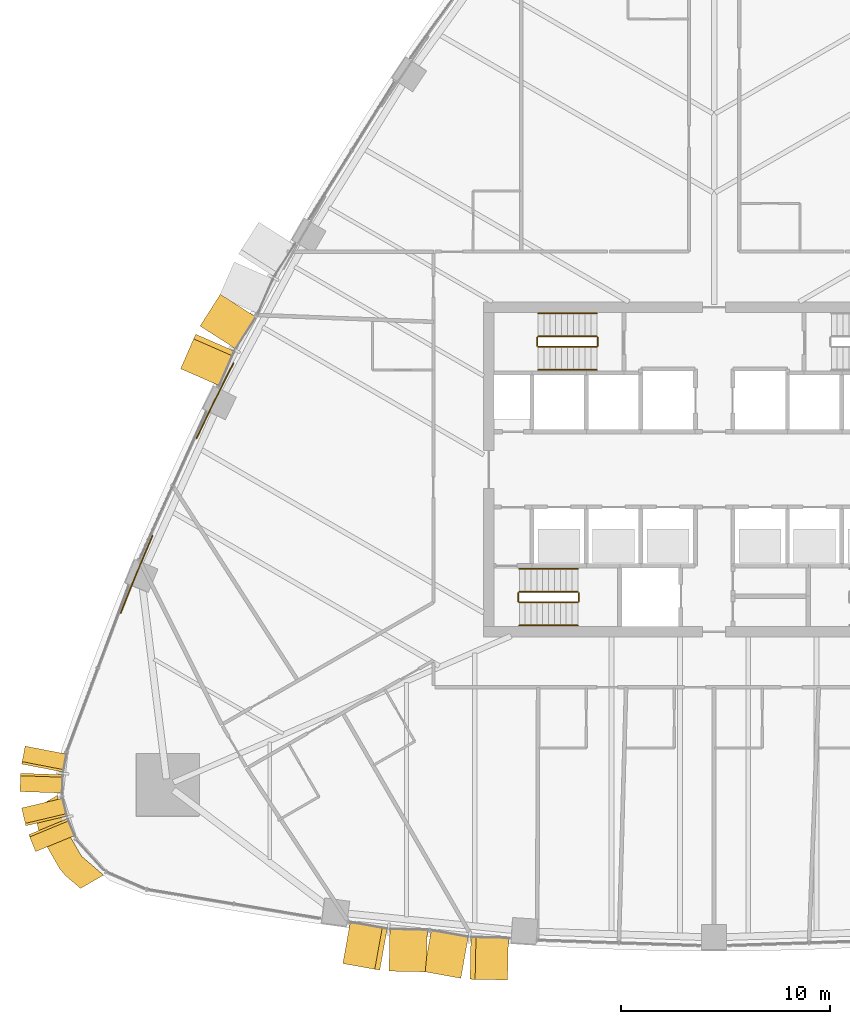
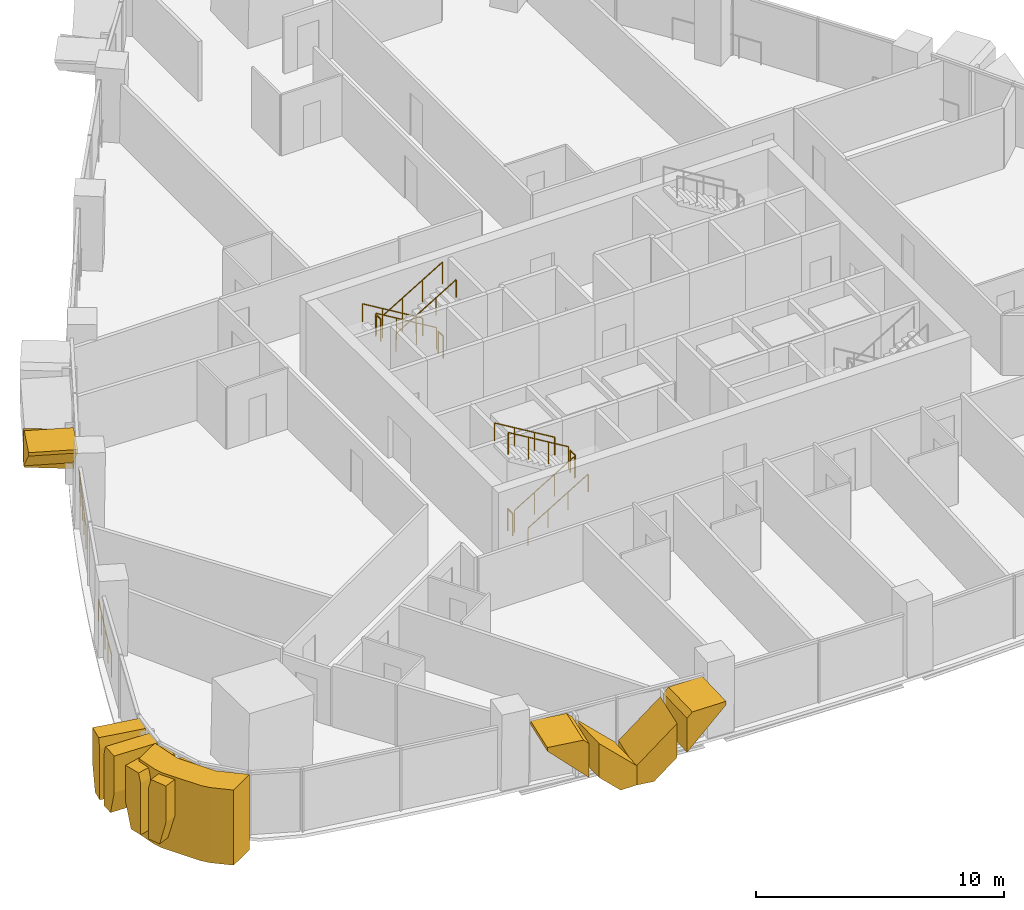
# One storey, part 15 of 18: 14 railings, 11 coverings.
"""IFC4 building model written with IfcOpenShell, lengths in metres."""

from ifc_helpers import new_model, si_unit, direction, frame, origin, origin_2d, place, context, subcontext, project, spatial, polyline, circle, outline, extrude, material, layer, layer_set, type_object, element, save


model = new_model("IFC4")

# Units and contexts
model_context = context("Model", 3, precision=1e-05, world=origin(), true_north=direction((0.0, 1.0)))
body_context = subcontext(model_context, "Body", "Model", "MODEL_VIEW")
ifc_project = project(units=[si_unit("LENGTHUNIT", "METRE"), si_unit("AREAUNIT", "SQUARE_METRE"), si_unit("VOLUMEUNIT", "CUBIC_METRE"), si_unit("PLANEANGLEUNIT", "RADIAN"), si_unit("MASSUNIT", "GRAM", prefix="KILO")], contexts=[model_context])

# Site, building, storey
site_placement = place(None, origin())
site = spatial("IfcSite", under=ifc_project, at=site_placement, CompositionType="ELEMENT")
building_placement = place(site_placement, origin())
building = spatial("IfcBuilding", under=site, at=building_placement, Name="Sierra Prisma Convention Tower", CompositionType="ELEMENT")
storey_placement = place(building_placement, frame((0.0, 0.0, 85.0)))
storey = spatial("IfcBuildingStorey", under=building, at=storey_placement, Name="L17", CompositionType="ELEMENT", Elevation=85.0)

# Coverings
ifc_material_1 = material(Name="Aluminium composite bronze anodised", Category="aluminium")
ifc_layer_1 = layer(ifc_material_1, 1.199951171875)
ifc_layer_set_1 = layer_set([ifc_layer_1], Name="Bronze corner pier")
covering_type_1 = type_object("IfcCoveringType", Name="Bronze corner pier", PredefinedType="CLADDING", material=ifc_layer_set_1)
covering_1_placement = place(storey_placement, frame((0.0, 0.0, -0.60009765625)))
element("IfcCovering", 1, at=covering_1_placement, inside=storey, type_object=covering_type_1, Name="Corner pier SW L17.1", PredefinedType="CLADDING", context=body_context, shape_type="SweptSolid", body=[
    extrude(outline(polyline([(-31.23779296875, -19.071044921875), (-32.134765625, -17.51708984375), (-32.275146484375, -17.13720703125), (-32.45068359375, -16.1953125), (-31.348876953125, -15.558837890625), (-31.095458984375, -16.9169921875), (-30.198486328125, -18.470947265625), (-29.148681640625, -19.369384765625), (-30.250732421875, -20.005615234375), (-30.978759765625, -19.382568359375), (-31.23779296875, -19.071044921875)])), origin(), (0.0, 0.0, 1.0), 3.7001953125),
])
ifc_material_2 = material(Name="Aluminium 6063-T6 bronze anodised", Category="aluminium")
ifc_layer_2 = layer(ifc_material_2, 2.0)
ifc_layer_set_2 = layer_set([ifc_layer_2], Name="Bronze crystal chevron frame")
covering_type_2 = type_object("IfcCoveringType", Name="Bronze crystal chevron frame", PredefinedType="CLADDING", material=ifc_layer_set_2)
covering_2_placement = place(storey_placement, frame((-17.724853515625, -23.591552734375, 2.97998046875), z_axis=(-0.17707737971, -0.984196931921, -2.8132919e-05), x_axis=(4.981704e-06, 2.7688333e-05, -0.999999999604)))
element("IfcCovering", 2, at=covering_2_placement, inside=storey, type_object=covering_type_2, Name="CW-2 chevron frame S2.1.1", PredefinedType="CLADDING", context=body_context, shape_type="SweptSolid", body=[
    extrude(outline(polyline([(0.0, 0.0), (0.1718749999319838, 0.0), (1.9013671869321036, 1.7909974042038943), (0.23315429696726628, 1.7909974042038943), (-1.4563580790004187e-09, 1.5493967319547859), (0.0, 0.0)])), origin(), (0.0, 0.0, -1.0), 2.0),
])
covering_3_placement = place(storey_placement, frame((-15.52099609375, -23.952880859375, 2.621337890625), z_axis=(-0.020988911802, -0.99977970849, 8.554291e-06), x_axis=(-1.79545e-07, -8.552407e-06, -0.999999999963)))
element("IfcCovering", 3, at=covering_3_placement, inside=storey, type_object=covering_type_2, Name="CW-2 chevron frame S2.1.2", PredefinedType="CLADDING", context=body_context, shape_type="SweptSolid", body=[
    extrude(outline(polyline([(0.0, 0.0), (1.6682128905639635, 0.0), (2.621337890786189, 0.9872786667665722), (2.6213378905988365, 1.7909220397341277), (1.7292480468814762, 1.7909220397341277), (0.0, 0.0)])), origin(), (0.0, 0.0, -1.0), 2.0),
])
covering_4_placement = place(storey_placement, frame((-13.85400390625, -23.97802734375, 0.0), z_axis=(-0.177231944113, -0.984169109196, 4.9896142e-05), x_axis=(0.984169110421, -0.177231944334, -7.93e-09)))
element("IfcCovering", 4, at=covering_4_placement, inside=storey, type_object=covering_type_2, Name="CW-2 chevron frame S2.2.1", PredefinedType="CLADDING", context=body_context, shape_type="SweptSolid", body=[
    extrude(outline(polyline([(0.0, 0.0), (0.8037625422988998, 1.6940658945086007e-21), (1.791040643045907, 0.9531250153902093), (1.7910406298162382, 2.621337903938597), (-7.074668461461207e-09, 0.8920898426395154), (0.0, 0.0)])), origin(), (0.0, 0.0, -1.0), 2.0),
])
covering_5_placement = place(storey_placement, frame((-9.859375, -24.377197265625, 2.97998046875), z_axis=(-0.021002492806, -0.999779419146, 9.1365639e-05), x_axis=(-0.999779423319, 0.021002492895, 9.912e-09)))
element("IfcCovering", 5, at=covering_5_placement, inside=storey, type_object=covering_type_2, Name="CW-2 chevron frame S2.2.2", PredefinedType="CLADDING", context=body_context, shape_type="SweptSolid", body=[
    extrude(outline(polyline([(0.0, 0.0), (1.5496617564528063, 4.235164736271502e-22), (1.7911661241418586, 0.23315431560243866), (1.7911661076062984, 1.9013671992645849), (-1.7036491094255383e-09, 0.17187499928262123), (0.0, 0.0)])), origin(), (0.0, 0.0, -1.0), 2.0),
])
covering_6_placement = place(storey_placement, frame((-23.572265625, 8.363525390625, 0.0), z_axis=(-0.842493432184, 0.538706613674, 3.3343183e-05), x_axis=(-0.538706613973, -0.842493432652, -3.526e-09)))
element("IfcCovering", 6, at=covering_6_placement, inside=storey, type_object=covering_type_2, Name="CW-2 chevron frame NW4.2.1", PredefinedType="CLADDING", context=body_context, shape_type="SweptSolid", body=[
    extrude(outline(polyline([(0.0, 0.0), (0.8056523687540396, -3.3881317890172014e-21), (1.7992448649942652, 0.9550781318745155), (1.799244859124693, 2.619873052824083), (-3.1383575645350953e-09, 0.8901367182551875), (0.0, 0.0)])), origin(), (0.0, 0.0, -1.0), 2.0),
])
covering_7_placement = place(storey_placement, frame((-25.470703125, 4.807861328125, 2.97998046875), z_axis=(-0.916378193818, 0.400313634404, 2.389793e-06), x_axis=(0.400313634405, 0.91637819382, 7e-12)))
element("IfcCovering", 7, at=covering_7_placement, inside=storey, type_object=covering_type_2, Name="CW-2 chevron frame NW4.2.2", PredefinedType="CLADDING", context=body_context, shape_type="SweptSolid", body=[
    extrude(outline(polyline([(0.0, 0.0), (1.5545571814062813, 2.117582368135751e-22), (1.7991277256731275, 0.2351074218877981), (1.7991277256619063, 1.899902343758044), (-1.1453338023148255e-12, 0.16992187499951478), (0.0, 0.0)])), origin(), (0.0, 0.0, -1.0), 2.0),
])
covering_8_placement = place(storey_placement, frame((-32.8935546875, -13.208984375, 2.97998046875), z_axis=(-0.981786441339, 0.189987851065, 7.053121e-06), x_axis=(-6.924659e-06, 1.340007e-06, -0.999999999975)))
element("IfcCovering", 8, at=covering_8_placement, inside=storey, type_object=covering_type_2, Name="CW-2 chevron frame SW1.1.1", PredefinedType="CLADDING", context=body_context, shape_type="SweptSolid", body=[
    extrude(outline(polyline([(0.0, 0.0), (1.8044433593301177, 0.0), (2.9799804684808935, 0.31754596797750706), (2.9799804686715246, 0.8738255111523462), (0.4370117187347761, 0.8738255111523462), (-4.694729306285816e-10, 0.7559432710388493), (0.0, 0.0)])), origin(), (0.0, 0.0, -1.0), 2.0),
])
covering_9_placement = place(storey_placement, frame((-33.109130859375, -14.507568359375, 0.0), z_axis=(-0.999418647358, 0.03409350695, -9.881728e-06), x_axis=(-0.034093506952, -0.999418647406, 1.256e-09)))
element("IfcCovering", 9, at=covering_9_placement, inside=storey, type_object=covering_type_2, Name="CW-2 chevron frame SW1.1.2", PredefinedType="CLADDING", context=body_context, shape_type="SweptSolid", body=[
    extrude(outline(polyline([(0.0, 0.0), (0.5564782647300103, 2.6469779601696886e-23), (0.8737988075359496, 1.1755371081639094), (0.8737988098018199, 2.9799804674508086), (0.11799287393622439, 2.9799804697179795), (3.1932490662137864e-09, 2.5429687498758415), (0.0, 0.0)])), origin(), (0.0, 0.0, -1.0), 2.0),
])
covering_10_placement = place(storey_placement, frame((-33.060546875, -16.165283203125, 2.97998046875), z_axis=(-0.97299737106, -0.230816194606, 1.4730465e-05), x_axis=(-1.4332704e-05, -3.40003e-06, -0.999999999892)))
element("IfcCovering", 10, at=covering_10_placement, inside=storey, type_object=covering_type_2, Name="CW-2 chevron frame SW2.1.1", PredefinedType="CLADDING", context=body_context, shape_type="SweptSolid", body=[
    extrude(outline(polyline([(0.0, 0.0), (1.80444335917923, 0.0), (2.9799804678960884, 0.31716639051347667), (2.9799804684488493, 0.8736892146399973), (0.4370117187247444, 0.8736892146399973), (-1.7073175672910935e-09, 0.7557865383577488), (0.0, 0.0)])), origin(), (0.0, 0.0, -1.0), 2.0),
])
covering_11_placement = place(storey_placement, frame((-32.722900390625, -17.4375, 0.0), z_axis=(-0.92486555362, -0.380294238353, -1.358338e-06), x_axis=(0.380294238353, -0.924865553621, -1.18e-10)))
element("IfcCovering", 11, at=covering_11_placement, inside=storey, type_object=covering_type_2, Name="CW-2 chevron frame SW2.1.2", PredefinedType="CLADDING", context=body_context, shape_type="SweptSolid", body=[
    extrude(outline(polyline([(0.0, 0.0), (0.556477463790544, -5.293955920339377e-23), (0.8737513282023356, 1.1755371094876905), (0.8737513279892253, 2.9799804688610263), (0.11801490255961278, 2.979980468700257), (-3.0033247612169165e-10, 2.5429687499976543), (0.0, 0.0)])), origin(), (0.0, 0.0, -1.0), 2.0),
])

# Railings
ifc_material_3 = material(Name="Stainless steel", Category="steel")
railing_type_1 = type_object("IfcRailingType", Name="Exit stair handrail", PredefinedType="HANDRAIL", material=ifc_material_3)
railing_1_placement = place(storey_placement, frame((-9.300048828125, -7.449951171875, 0.168212890625)))
element("IfcRailing", 12, at=railing_1_placement, inside=storey, type_object=railing_type_1, Name="L17 S1 stair handrail 1", PredefinedType="HANDRAIL", context=body_context, shape_type="SweptSolid", body=[
    extrude(circle(Radius=0.02392578125, at=origin_2d()), frame((0.0, 0.0, 0.8759765625), z_axis=(0.857242210791, 0.0, 0.514913383045), x_axis=(0.0, 1.0, 0.0)), (0.0, 0.0, 1.0), 3.266357421875),
    extrude(circle(Radius=0.02099609375, at=origin_2d()), origin(), (0.0, 0.0, 1.0), 0.851806640625),
    extrude(circle(Radius=0.02099609375, at=origin_2d()), frame((0.933349609375, 0.0, 0.560546875)), (0.0, 0.0, 1.0), 0.851806640625),
    extrude(circle(Radius=0.02099609375, at=origin_2d()), frame((1.86669921875, 0.0, 1.121337890625)), (0.0, 0.0, 1.0), 0.851806640625),
    extrude(circle(Radius=0.02099609375, at=origin_2d()), frame((2.800048828125, 0.0, 1.681884765625)), (0.0, 0.0, 1.0), 0.851806640625),
])
railing_2_placement = place(storey_placement, frame((-6.5, -4.75, 2.01806640625)))
element("IfcRailing", 13, at=railing_2_placement, inside=storey, type_object=railing_type_1, Name="L17 S1 stair handrail 2", PredefinedType="HANDRAIL", context=body_context, shape_type="SweptSolid", body=[
    extrude(circle(Radius=0.02392578125, at=origin_2d()), frame((0.0, 0.0, 0.8759765625), z_axis=(-0.857242210791, 0.0, 0.514913383045), x_axis=(0.0, -1.0, 0.0)), (0.0, 0.0, 1.0), 3.266357421875),
    extrude(circle(Radius=0.02099609375, at=origin_2d()), origin(), (0.0, 0.0, 1.0), 0.851806640625),
    extrude(circle(Radius=0.02099609375, at=origin_2d()), frame((-0.933349609375, 0.0, 0.560546875)), (0.0, 0.0, 1.0), 0.851806640625),
    extrude(circle(Radius=0.02099609375, at=origin_2d()), frame((-1.86669921875, 0.0, 1.121337890625)), (0.0, 0.0, 1.0), 0.851806640625),
    extrude(circle(Radius=0.02099609375, at=origin_2d()), frame((-2.800048828125, 0.0, 1.681884765625)), (0.0, 0.0, 1.0), 0.851806640625),
])
railing_3_placement = place(storey_placement, frame((-5.60009765625, 7.449951171875, 0.168212890625)))
element("IfcRailing", 14, at=railing_3_placement, inside=storey, type_object=railing_type_1, Name="L17 S3 stair handrail 1", PredefinedType="HANDRAIL", context=body_context, shape_type="SweptSolid", body=[
    extrude(circle(Radius=0.02392578125, at=origin_2d()), frame((0.0, 0.0, 0.8759765625), z_axis=(-0.857222391501, 0.0, 0.514946377315), x_axis=(0.0, -1.0, 0.0)), (0.0, 0.0, 1.0), 3.26611328125),
    extrude(circle(Radius=0.02099609375, at=origin_2d()), origin(), (0.0, 0.0, 1.0), 0.851806640625),
    extrude(circle(Radius=0.02099609375, at=origin_2d()), frame((-0.933349609375, 0.0, 0.560546875)), (0.0, 0.0, 1.0), 0.851806640625),
    extrude(circle(Radius=0.02099609375, at=origin_2d()), frame((-1.866455078125, 0.0, 1.121337890625)), (0.0, 0.0, 1.0), 0.851806640625),
    extrude(circle(Radius=0.02099609375, at=origin_2d()), frame((-2.7998046875, 0.0, 1.681884765625)), (0.0, 0.0, 1.0), 0.851806640625),
])
railing_4_placement = place(storey_placement, frame((-8.39990234375, 4.75, 2.01806640625)))
element("IfcRailing", 15, at=railing_4_placement, inside=storey, type_object=railing_type_1, Name="L17 S3 stair handrail 2", PredefinedType="HANDRAIL", context=body_context, shape_type="SweptSolid", body=[
    extrude(circle(Radius=0.02392578125, at=origin_2d()), frame((0.0, 0.0, 0.8759765625), z_axis=(0.857222391501, 0.0, 0.514946377315), x_axis=(0.0, 1.0, 0.0)), (0.0, 0.0, 1.0), 3.26611328125),
    extrude(circle(Radius=0.02099609375, at=origin_2d()), origin(), (0.0, 0.0, 1.0), 0.851806640625),
    extrude(circle(Radius=0.02099609375, at=origin_2d()), frame((0.933349609375, 0.0, 0.560546875)), (0.0, 0.0, 1.0), 0.851806640625),
    extrude(circle(Radius=0.02099609375, at=origin_2d()), frame((1.866455078125, 0.0, 1.121337890625)), (0.0, 0.0, 1.0), 0.851806640625),
    extrude(circle(Radius=0.02099609375, at=origin_2d()), frame((2.7998046875, 0.0, 1.681884765625)), (0.0, 0.0, 1.0), 0.851806640625),
])
ifc_material_4 = material(Name="Bronze anodised aluminium", Category="aluminium")
railing_type_2 = type_object("IfcRailingType", Name="Facade guard 1100", PredefinedType="GUARDRAIL", material=ifc_material_4)
railing_5_placement = place(storey_placement, frame((-22.952392578125, 5.065673828125, 0.0)))
element("IfcRailing", 16, at=railing_5_placement, inside=storey, type_object=railing_type_2, Name="Facade guard", PredefinedType="GUARDRAIL", context=body_context, shape_type="SweptSolid", body=[
    extrude(circle(Radius=0.02392578125, at=origin_2d()), frame((0.0, 0.0, 1.076171875), z_axis=(-0.452608247892, -0.891709467226, 0.0), x_axis=(0.891709467226, -0.452608247892, 0.0)), (0.0, 0.0, 1.0), 0.994140625),
    extrude(circle(Radius=0.02392578125, at=origin_2d()), frame((-0.449951171875, -0.886474609375, 1.076171875), z_axis=(-0.443499679294, -0.896274530747, 0.0), x_axis=(0.896274530747, -0.443499679294, 0.0)), (0.0, 0.0, 1.0), 1.000244140625),
    extrude(circle(Radius=0.02392578125, at=origin_2d()), frame((-0.8935546875, -1.782958984375, 1.076171875), z_axis=(-0.439337859103, -0.898321905309, 0.0), x_axis=(0.898321905309, -0.439337859103, 0.0)), (0.0, 0.0, 1.0), 0.994140625),
    extrude(circle(Radius=0.02392578125, at=origin_2d()), frame((-1.330322265625, -2.676025390625, 1.076171875), z_axis=(-0.430634686673, -0.902526324621, 0.0), x_axis=(0.902526324621, -0.430634686673, 0.0)), (0.0, 0.0, 1.0), 1.0),
    extrude(circle(Radius=0.02099609375, at=origin_2d()), origin(), (0.0, 0.0, 1.0), 1.052001953125),
    extrude(circle(Radius=0.02099609375, at=origin_2d()), frame((-0.449951171875, -0.886474609375, 0.0)), (0.0, 0.0, 1.0), 1.052001953125),
    extrude(circle(Radius=0.02099609375, at=origin_2d()), frame((-0.8935546875, -1.782958984375, 0.0)), (0.0, 0.0, 1.0), 1.052001953125),
    extrude(circle(Radius=0.02099609375, at=origin_2d()), frame((-1.330322265625, -2.676025390625, 0.0)), (0.0, 0.0, 1.0), 1.052001953125),
    extrude(circle(Radius=0.02099609375, at=origin_2d()), frame((-1.760986328125, -3.57861328125, 0.0)), (0.0, 0.0, 1.0), 1.052001953125),
])
railing_6_placement = place(storey_placement, frame((-26.811767578125, -3.160888671875, 0.0)))
element("IfcRailing", 17, at=railing_6_placement, inside=storey, type_object=railing_type_2, Name="Facade guard", PredefinedType="GUARDRAIL", context=body_context, shape_type="SweptSolid", body=[
    extrude(circle(Radius=0.02392578125, at=origin_2d()), frame((0.0, 0.0, 1.076171875), z_axis=(-0.391885028574, -0.920014197923, 0.0), x_axis=(0.920014197923, -0.391885028574, 0.0)), (0.0, 0.0, 1.0), 1.0),
    extrude(circle(Radius=0.02392578125, at=origin_2d()), frame((-0.391845703125, -0.919921875, 1.076171875), z_axis=(-0.38355155682, -0.923519465556, 0.0), x_axis=(0.923519465556, -0.38355155682, 0.0)), (0.0, 0.0, 1.0), 0.994140625),
    extrude(circle(Radius=0.02392578125, at=origin_2d()), frame((-0.773193359375, -1.838134765625, 1.076171875), z_axis=(-0.378661364567, -0.925535288892, 0.0), x_axis=(0.925535288892, -0.378661364567, 0.0)), (0.0, 0.0, 1.0), 1.0),
    extrude(circle(Radius=0.02392578125, at=origin_2d()), frame((-1.15185546875, -2.763671875, 1.076171875), z_axis=(-0.369569423386, -0.929203121657, 0.0), x_axis=(0.929203121657, -0.369569423386, 0.0)), (0.0, 0.0, 1.0), 0.994140625),
    extrude(circle(Radius=0.02099609375, at=origin_2d()), origin(), (0.0, 0.0, 1.0), 1.052001953125),
    extrude(circle(Radius=0.02099609375, at=origin_2d()), frame((-0.391845703125, -0.919921875, 0.0)), (0.0, 0.0, 1.0), 1.052001953125),
    extrude(circle(Radius=0.02099609375, at=origin_2d()), frame((-0.773193359375, -1.838134765625, 0.0)), (0.0, 0.0, 1.0), 1.052001953125),
    extrude(circle(Radius=0.02099609375, at=origin_2d()), frame((-1.15185546875, -2.763671875, 0.0)), (0.0, 0.0, 1.0), 1.052001953125),
    extrude(circle(Radius=0.02099609375, at=origin_2d()), frame((-1.519287109375, -3.6875, 0.0)), (0.0, 0.0, 1.0), 1.052001953125),
])
ifc_material_5 = material(Name="Stainless steel", Category="steel")
railing_type_3 = type_object("IfcRailingType", Name="Stair guard 1100", PredefinedType="GUARDRAIL", material=ifc_material_5)
railing_7_placement = place(storey_placement, frame((-9.300048828125, -6.35009765625, 0.168212890625)))
element("IfcRailing", 18, at=railing_7_placement, inside=storey, type_object=railing_type_3, Name="L17 S1 stair guard 1", PredefinedType="GUARDRAIL", context=body_context, shape_type="SweptSolid", body=[
    extrude(circle(Radius=0.02392578125, at=origin_2d()), frame((0.0, 0.0, 1.076171875), z_axis=(0.857242210791, 0.0, 0.514913383045), x_axis=(0.0, 1.0, 0.0)), (0.0, 0.0, 1.0), 3.266357421875),
    extrude(circle(Radius=0.02099609375, at=origin_2d()), origin(), (0.0, 0.0, 1.0), 1.052001953125),
    extrude(circle(Radius=0.02099609375, at=origin_2d()), frame((0.933349609375, 0.0, 0.560546875)), (0.0, 0.0, 1.0), 1.052001953125),
    extrude(circle(Radius=0.02099609375, at=origin_2d()), frame((1.86669921875, 0.0, 1.121337890625)), (0.0, 0.0, 1.0), 1.052001953125),
    extrude(circle(Radius=0.02099609375, at=origin_2d()), frame((2.800048828125, 0.0, 1.681884765625)), (0.0, 0.0, 1.0), 1.052001953125),
])
railing_8_placement = place(storey_placement, frame((-6.449951171875, -6.300048828125, 1.85009765625)))
element("IfcRailing", 19, at=railing_8_placement, inside=storey, type_object=railing_type_3, Name="L17 S1 stair guard 2", PredefinedType="GUARDRAIL", context=body_context, shape_type="SweptSolid", body=[
    extrude(circle(Radius=0.02392578125, at=origin_2d()), frame((0.0, 0.0, 1.076171875), z_axis=(0.0, 1.0, 0.0), x_axis=(-1.0, 0.0, 0.0)), (0.0, 0.0, 1.0), 0.400146484375),
    extrude(circle(Radius=0.02099609375, at=origin_2d()), origin(), (0.0, 0.0, 1.0), 1.052001953125),
    extrude(circle(Radius=0.02099609375, at=origin_2d()), frame((0.0, 0.400146484375, 0.0)), (0.0, 0.0, 1.0), 1.052001953125),
])
railing_9_placement = place(storey_placement, frame((-6.5, -5.85009765625, 2.01806640625)))
element("IfcRailing", 20, at=railing_9_placement, inside=storey, type_object=railing_type_3, Name="L17 S1 stair guard 3", PredefinedType="GUARDRAIL", context=body_context, shape_type="SweptSolid", body=[
    extrude(circle(Radius=0.02392578125, at=origin_2d()), frame((0.0, 0.0, 1.076171875), z_axis=(-0.857242210791, 0.0, 0.514913383045), x_axis=(0.0, -1.0, 0.0)), (0.0, 0.0, 1.0), 3.266357421875),
    extrude(circle(Radius=0.02099609375, at=origin_2d()), origin(), (0.0, 0.0, 1.0), 1.052001953125),
    extrude(circle(Radius=0.02099609375, at=origin_2d()), frame((-0.933349609375, 0.0, 0.560546875)), (0.0, 0.0, 1.0), 1.052001953125),
    extrude(circle(Radius=0.02099609375, at=origin_2d()), frame((-1.86669921875, 0.0, 1.121337890625)), (0.0, 0.0, 1.0), 1.052001953125),
    extrude(circle(Radius=0.02099609375, at=origin_2d()), frame((-2.800048828125, 0.0, 1.681884765625)), (0.0, 0.0, 1.0), 1.052001953125),
])
railing_10_placement = place(storey_placement, frame((-9.35009765625, -6.300048828125, 0.0)))
element("IfcRailing", 21, at=railing_10_placement, inside=storey, type_object=railing_type_3, Name="L17 S1 stair guard 4", PredefinedType="GUARDRAIL", context=body_context, shape_type="SweptSolid", body=[
    extrude(circle(Radius=0.02392578125, at=origin_2d()), frame((0.0, 0.0, 1.076171875), z_axis=(0.0, 1.0, 0.0), x_axis=(-1.0, 0.0, 0.0)), (0.0, 0.0, 1.0), 0.400146484375),
    extrude(circle(Radius=0.02099609375, at=origin_2d()), origin(), (0.0, 0.0, 1.0), 1.052001953125),
    extrude(circle(Radius=0.02099609375, at=origin_2d()), frame((0.0, 0.400146484375, 0.0)), (0.0, 0.0, 1.0), 1.052001953125),
])
railing_11_placement = place(storey_placement, frame((-5.60009765625, 6.35009765625, 0.168212890625)))
element("IfcRailing", 22, at=railing_11_placement, inside=storey, type_object=railing_type_3, Name="L17 S3 stair guard 1", PredefinedType="GUARDRAIL", context=body_context, shape_type="SweptSolid", body=[
    extrude(circle(Radius=0.02392578125, at=origin_2d()), frame((0.0, 0.0, 1.076171875), z_axis=(-0.857222391501, 0.0, 0.514946377315), x_axis=(0.0, -1.0, 0.0)), (0.0, 0.0, 1.0), 3.26611328125),
    extrude(circle(Radius=0.02099609375, at=origin_2d()), origin(), (0.0, 0.0, 1.0), 1.052001953125),
    extrude(circle(Radius=0.02099609375, at=origin_2d()), frame((-0.933349609375, 0.0, 0.560546875)), (0.0, 0.0, 1.0), 1.052001953125),
    extrude(circle(Radius=0.02099609375, at=origin_2d()), frame((-1.866455078125, 0.0, 1.121337890625)), (0.0, 0.0, 1.0), 1.052001953125),
    extrude(circle(Radius=0.02099609375, at=origin_2d()), frame((-2.7998046875, 0.0, 1.681884765625)), (0.0, 0.0, 1.0), 1.052001953125),
])
railing_12_placement = place(storey_placement, frame((-8.449951171875, 6.300048828125, 1.85009765625)))
element("IfcRailing", 23, at=railing_12_placement, inside=storey, type_object=railing_type_3, Name="L17 S3 stair guard 2", PredefinedType="GUARDRAIL", context=body_context, shape_type="SweptSolid", body=[
    extrude(circle(Radius=0.02392578125, at=origin_2d()), frame((0.0, 0.0, 1.076171875), z_axis=(0.0, -1.0, 0.0), x_axis=(1.0, 0.0, 0.0)), (0.0, 0.0, 1.0), 0.400146484375),
    extrude(circle(Radius=0.02099609375, at=origin_2d()), origin(), (0.0, 0.0, 1.0), 1.052001953125),
    extrude(circle(Radius=0.02099609375, at=origin_2d()), frame((0.0, -0.400146484375, 0.0)), (0.0, 0.0, 1.0), 1.052001953125),
])
railing_13_placement = place(storey_placement, frame((-8.39990234375, 5.85009765625, 2.01806640625)))
element("IfcRailing", 24, at=railing_13_placement, inside=storey, type_object=railing_type_3, Name="L17 S3 stair guard 3", PredefinedType="GUARDRAIL", context=body_context, shape_type="SweptSolid", body=[
    extrude(circle(Radius=0.02392578125, at=origin_2d()), frame((0.0, 0.0, 1.076171875), z_axis=(0.857222391501, 0.0, 0.514946377315), x_axis=(0.0, 1.0, 0.0)), (0.0, 0.0, 1.0), 3.26611328125),
    extrude(circle(Radius=0.02099609375, at=origin_2d()), origin(), (0.0, 0.0, 1.0), 1.052001953125),
    extrude(circle(Radius=0.02099609375, at=origin_2d()), frame((0.933349609375, 0.0, 0.560546875)), (0.0, 0.0, 1.0), 1.052001953125),
    extrude(circle(Radius=0.02099609375, at=origin_2d()), frame((1.866455078125, 0.0, 1.121337890625)), (0.0, 0.0, 1.0), 1.052001953125),
    extrude(circle(Radius=0.02099609375, at=origin_2d()), frame((2.7998046875, 0.0, 1.681884765625)), (0.0, 0.0, 1.0), 1.052001953125),
])
railing_14_placement = place(storey_placement, frame((-5.550048828125, 6.300048828125, 0.0)))
element("IfcRailing", 25, at=railing_14_placement, inside=storey, type_object=railing_type_3, Name="L17 S3 stair guard 4", PredefinedType="GUARDRAIL", context=body_context, shape_type="SweptSolid", body=[
    extrude(circle(Radius=0.02392578125, at=origin_2d()), frame((0.0, 0.0, 1.076171875), z_axis=(0.0, -1.0, 0.0), x_axis=(1.0, 0.0, 0.0)), (0.0, 0.0, 1.0), 0.400146484375),
    extrude(circle(Radius=0.02099609375, at=origin_2d()), origin(), (0.0, 0.0, 1.0), 1.052001953125),
    extrude(circle(Radius=0.02099609375, at=origin_2d()), frame((0.0, -0.400146484375, 0.0)), (0.0, 0.0, 1.0), 1.052001953125),
])

save(model, "model.ifc")
